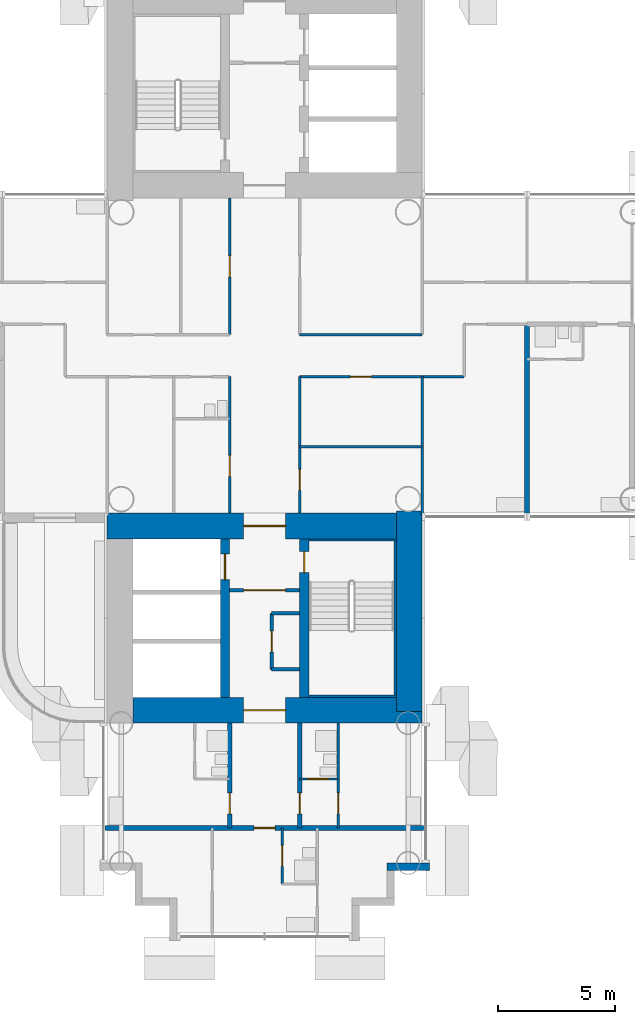
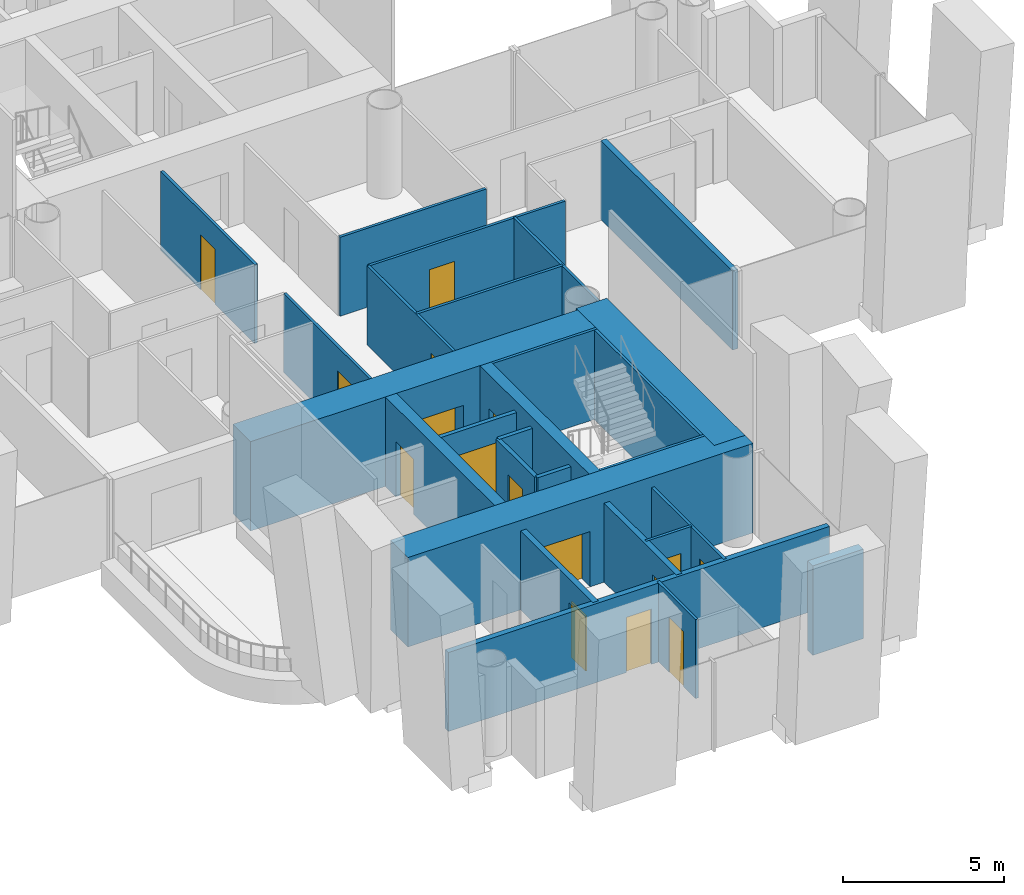
# One storey, part 14 of 23: 27 walls, 16 doors, 16 openings.
"""IFC4 building model written with IfcOpenShell, lengths in metres."""

from ifc_helpers import new_model, si_unit, direction, frame, frame_2d, origin, place, context, subcontext, project, spatial, rectangle, extrude, material, layer, layer_set, type_object, element, fill, save


model = new_model("IFC4")

# Units and contexts
model_context = context("Model", 3, precision=1e-05, world=origin(), true_north=direction((0.0, 1.0)))
body_context = subcontext(model_context, "Body", "Model", "MODEL_VIEW")
ifc_project = project(units=[si_unit("LENGTHUNIT", "METRE"), si_unit("AREAUNIT", "SQUARE_METRE"), si_unit("VOLUMEUNIT", "CUBIC_METRE"), si_unit("PLANEANGLEUNIT", "RADIAN"), si_unit("MASSUNIT", "GRAM", prefix="KILO")], contexts=[model_context])

# Site, building, storey
site_placement = place(None, origin())
site = spatial("IfcSite", under=ifc_project, at=site_placement, CompositionType="ELEMENT")
building_placement = place(site_placement, origin())
building = spatial("IfcBuilding", under=site, at=building_placement, Name="Ipe Terrace Towers", CompositionType="ELEMENT")
storey_placement = place(building_placement, frame((0.0, 0.0, 51.699951171875)))
storey = spatial("IfcBuildingStorey", under=building, at=storey_placement, Name="L13", CompositionType="ELEMENT", Elevation=51.699951171875)

# Wall
ifc_material_1 = material(Name="Concrete C40/50 with buff precast cladding", Category="concrete")
ifc_layer_1 = layer(ifc_material_1, 0.320068359375)
ifc_layer_set_1 = layer_set([ifc_layer_1], Name="BUFF CLADDING WALL 320")
wall_type_1 = type_object("IfcWallType", Name="BUFF CLADDING WALL 320", PredefinedType="STANDARD", material=ifc_layer_set_1)
wall_1_placement = place(storey_placement, frame((41.25, -21.909912109375, -0.300048828125), z_axis=(0.0, 0.0, 1.0), x_axis=(1.0, 0.0, 0.0)))
element("IfcWall", 1, at=wall_1_placement, inside=storey, type_object=wall_type_1, Name="T2-W-L13-03a wall", PredefinedType="STANDARD", context=body_context, shape_type="SweptSolid", body=[
    extrude(rectangle(XDim=1.820068359375, YDim=0.320068359375, at=frame_2d((0.91015625, 0.0))), origin(), (0.0, 0.0, 1.0), 3.400146484375),
])

# Wall, opening, door
ifc_material_2 = material(Name="Gypsum board partition", Category="plasterboard")
ifc_layer_2 = layer(ifc_material_2, 0.10009765625)
ifc_layer_set_2 = layer_set([ifc_layer_2], Name="Gypsum board partition 100 mm")
wall_type_2 = type_object("IfcWallType", Name="Gypsum board partition 100 mm", PredefinedType="PARTITIONING", material=ifc_layer_set_2)
wall_2_placement = place(storey_placement, frame((39.14990234375, -18.14990234375, 0.0), z_axis=(0.0, 0.0, 1.0), x_axis=(-1.0, 0.0, 0.0)))
wall_2 = element("IfcWall", 2, at=wall_2_placement, inside=storey, type_object=wall_type_2, Name="Gypsum board partition T2 L13 W03", PredefinedType="PARTITIONING", context=body_context, shape_type="SweptSolid", body=[
    extrude(rectangle(XDim=1.64990234375, YDim=0.10009765625, at=frame_2d((0.824951171875, 0.0))), origin(), (0.0, 0.0, 1.0), 3.0),
])
opening_1_placement = place(wall_2_placement, frame((0.39990234375, 0.0, 0.0)))
opening_1 = element("IfcOpeningElement", 3, at=opening_1_placement, cuts=wall_2, Name="Opening T2-Z1C-29", PredefinedType="OPENING", context=body_context, shape_type="SweptSolid", body=[
    extrude(rectangle(XDim=0.89990234375, YDim=2.10009765625, at=frame_2d((0.449951171875, 1.050048828125))), frame((0.0, 0.06005859375, 0.0), z_axis=(0.0, -1.0, 0.0), x_axis=(1.0, 0.0, 0.0)), (0.0, 0.0, 1.0), 0.1201171875),
])
ifc_material_3 = material(Name="Timber door leaf", Category="wood")
door_type_1 = type_object("IfcDoorType", Name="Bathroom door 900 x 2100", OperationType="NOTDEFINED", PredefinedType="DOOR", material=ifc_material_3)
door_1_placement = place(opening_1_placement, origin())
door_1 = element("IfcDoor", 4, at=door_1_placement, inside=storey, type_object=door_type_1, Name="Bathroom door T2-Z1C-29", OperationType="SINGLE_SWING_RIGHT", OverallHeight=2.10009765625, OverallWidth=0.89990234375, PredefinedType="DOOR", context=body_context, shape_type="SweptSolid", body=[
    extrude(rectangle(XDim=0.89990234375, YDim=2.10009765625, at=frame_2d((0.449951171875, 1.050048828125))), frame((0.0, 0.02490234375, 0.0), z_axis=(0.0, -1.0, 0.0), x_axis=(1.0, 0.0, 0.0)), (0.0, 0.0, 1.0), 0.050048828125),
])
fill(opening_1, door_1)

# Wall
wall_3_placement = place(storey_placement, frame((42.75, -3.89990234375, 0.0), z_axis=(0.0, 0.0, 1.0), x_axis=(-1.0, 0.0, 0.0)))
element("IfcWall", 5, at=wall_3_placement, inside=storey, type_object=wall_type_2, Name="Gypsum board partition T2 L13 W05", PredefinedType="PARTITIONING", context=body_context, shape_type="SweptSolid", body=[
    extrude(rectangle(XDim=5.25, YDim=0.10009765625, at=frame_2d((2.625, 0.0))), origin(), (0.0, 0.0, 1.0), 3.0),
])

# Wall, opening, door
wall_4_placement = place(storey_placement, frame((44.550048828125, -0.89990234375, 0.0), z_axis=(0.0, 0.0, 1.0), x_axis=(-1.0, 0.0, 0.0)))
wall_4 = element("IfcWall", 6, at=wall_4_placement, inside=storey, type_object=wall_type_2, Name="Gypsum board partition T2 L13 W07", PredefinedType="PARTITIONING", context=body_context, shape_type="SweptSolid", body=[
    extrude(rectangle(XDim=7.050048828125, YDim=0.10009765625, at=frame_2d((3.52490234375, 0.0))), origin(), (0.0, 0.0, 1.0), 3.0),
])
opening_2_placement = place(wall_4_placement, frame((3.97509765625, 0.0, 0.0)))
opening_2 = element("IfcOpeningElement", 7, at=opening_2_placement, cuts=wall_4, Name="Opening T2-Z1C-06", PredefinedType="OPENING", context=body_context, shape_type="SweptSolid", body=[
    extrude(rectangle(XDim=0.89990234375, YDim=2.10009765625, at=frame_2d((0.449951171875, 1.050048828125))), frame((0.0, 0.06005859375, 0.0), z_axis=(0.0, -1.0, 0.0), x_axis=(1.0, 0.0, 0.0)), (0.0, 0.0, 1.0), 0.1201171875),
])
ifc_material_4 = material(Name="Timber door leaf", Category="wood")
door_type_2 = type_object("IfcDoorType", Name="Lounge door 900 x 2100", OperationType="NOTDEFINED", PredefinedType="DOOR", material=ifc_material_4)
door_2_placement = place(opening_2_placement, origin())
door_2 = element("IfcDoor", 8, at=door_2_placement, inside=storey, type_object=door_type_2, Name="Lounge door T2-Z1C-06", OperationType="SINGLE_SWING_LEFT", OverallHeight=2.10009765625, OverallWidth=0.89990234375, PredefinedType="DOOR", context=body_context, shape_type="SweptSolid", body=[
    extrude(rectangle(XDim=0.89990234375, YDim=2.10009765625, at=frame_2d((0.449951171875, 1.050048828125))), frame((0.0, 0.02490234375, 0.0), z_axis=(0.0, -1.0, 0.0), x_axis=(1.0, 0.0, 0.0)), (0.0, 0.0, 1.0), 0.050048828125),
])
fill(opening_2, door_2)

# Walls
wall_5_placement = place(storey_placement, frame((42.75, 0.89990234375, 0.0), z_axis=(0.0, 0.0, 1.0), x_axis=(-1.0, 0.0, 0.0)))
element("IfcWall", 9, at=wall_5_placement, inside=storey, type_object=wall_type_2, Name="Gypsum board partition T2 L13 W11", PredefinedType="PARTITIONING", context=body_context, shape_type="SweptSolid", body=[
    extrude(rectangle(XDim=5.25, YDim=0.10009765625, at=frame_2d((2.625, 0.0))), origin(), (0.0, 0.0, 1.0), 3.0),
])
wall_6_placement = place(storey_placement, frame((42.75, -6.85009765625, 0.0), z_axis=(0.0, 0.0, 1.0), x_axis=(0.0, 1.0, 0.0)))
element("IfcWall", 10, at=wall_6_placement, inside=storey, type_object=wall_type_2, Name="Gypsum board partition T2 L13 W30", PredefinedType="PARTITIONING", context=body_context, shape_type="SweptSolid", body=[
    extrude(rectangle(XDim=5.9501953125, YDim=0.10009765625, at=frame_2d((2.97509765625, 0.0))), origin(), (0.0, 0.0, 1.0), 3.0),
])

# Wall, opening, door
wall_7_placement = place(storey_placement, frame((39.14990234375, -20.25, 0.0), z_axis=(0.0, 0.0, 1.0), x_axis=(0.0, 1.0, 0.0)))
wall_7 = element("IfcWall", 11, at=wall_7_placement, inside=storey, type_object=wall_type_2, Name="Gypsum board partition T2 L13 W32", PredefinedType="PARTITIONING", context=body_context, shape_type="SweptSolid", body=[
    extrude(rectangle(XDim=4.5, YDim=0.10009765625, at=frame_2d((2.25, 0.0))), origin(), (0.0, 0.0, 1.0), 3.0),
])
opening_3_placement = place(wall_7_placement, frame((0.60009765625, 0.0, 0.0)))
opening_3 = element("IfcOpeningElement", 12, at=opening_3_placement, cuts=wall_7, Name="Opening T2-Z1C-28", PredefinedType="OPENING", context=body_context, shape_type="SweptSolid", body=[
    extrude(rectangle(XDim=0.89990234375, YDim=2.10009765625, at=frame_2d((0.449951171875, 1.050048828125))), frame((0.0, 0.06005859375, 0.0), z_axis=(0.0, -1.0, 0.0), x_axis=(1.0, 0.0, 0.0)), (0.0, 0.0, 1.0), 0.1201171875),
])
ifc_material_5 = material(Name="Timber door leaf", Category="wood")
door_type_3 = type_object("IfcDoorType", Name="Bedroom door 900 x 2100", OperationType="NOTDEFINED", PredefinedType="DOOR", material=ifc_material_5)
door_3_placement = place(opening_3_placement, origin())
door_3 = element("IfcDoor", 13, at=door_3_placement, inside=storey, type_object=door_type_3, Name="Bedroom door T2-Z1C-28", OperationType="SINGLE_SWING_LEFT", OverallHeight=2.10009765625, OverallWidth=0.89990234375, PredefinedType="DOOR", context=body_context, shape_type="SweptSolid", body=[
    extrude(rectangle(XDim=0.89990234375, YDim=2.10009765625, at=frame_2d((0.449951171875, 1.050048828125))), frame((0.0, 0.02490234375, 0.0), z_axis=(0.0, -1.0, 0.0), x_axis=(1.0, 0.0, 0.0)), (0.0, 0.0, 1.0), 0.050048828125),
])
fill(opening_3, door_3)

wall_8_placement = place(storey_placement, frame((37.5, -6.75, 0.0), z_axis=(0.0, 0.0, 1.0), x_axis=(0.0, 1.0, 0.0)))
wall_8 = element("IfcWall", 14, at=wall_8_placement, inside=storey, type_object=wall_type_2, Name="Gypsum board partition T2 L13 W35", PredefinedType="PARTITIONING", context=body_context, shape_type="SweptSolid", body=[
    extrude(rectangle(XDim=5.85009765625, YDim=0.10009765625, at=frame_2d((2.925048828125, 0.0))), origin(), (0.0, 0.0, 1.0), 3.0),
])
opening_4_placement = place(wall_8_placement, frame((0.97509765625, 0.0, 0.0)))
opening_4 = element("IfcOpeningElement", 15, at=opening_4_placement, cuts=wall_8, Name="Opening T2-Z1C-07", PredefinedType="OPENING", context=body_context, shape_type="SweptSolid", body=[
    extrude(rectangle(XDim=0.89990234375, YDim=2.10009765625, at=frame_2d((0.449951171875, 1.050048828125))), frame((0.0, 0.06005859375, 0.0), z_axis=(0.0, -1.0, 0.0), x_axis=(1.0, 0.0, 0.0)), (0.0, 0.0, 1.0), 0.1201171875),
])
door_4_placement = place(opening_4_placement, origin())
door_4 = element("IfcDoor", 16, at=door_4_placement, inside=storey, type_object=door_type_2, Name="Lounge door T2-Z1C-07", OperationType="SINGLE_SWING_LEFT", OverallHeight=2.10009765625, OverallWidth=0.89990234375, PredefinedType="DOOR", context=body_context, shape_type="SweptSolid", body=[
    extrude(rectangle(XDim=0.89990234375, YDim=2.10009765625, at=frame_2d((0.449951171875, 1.050048828125))), frame((0.0, 0.02490234375, 0.0), z_axis=(0.0, -1.0, 0.0), x_axis=(1.0, 0.0, 0.0)), (0.0, 0.0, 1.0), 0.050048828125),
])
fill(opening_4, door_4)

wall_9_placement = place(storey_placement, frame((36.75, -22.64990234375, 0.0), z_axis=(0.0, 0.0, 1.0), x_axis=(0.0, 1.0, 0.0)))
wall_9 = element("IfcWall", 17, at=wall_9_placement, inside=storey, type_object=wall_type_2, Name="Gypsum board partition T2 L13 W39", PredefinedType="PARTITIONING", context=body_context, shape_type="SweptSolid", body=[
    extrude(rectangle(XDim=2.39990234375, YDim=0.10009765625, at=frame_2d((1.199951171875, 0.0))), origin(), (0.0, 0.0, 1.0), 3.0),
])
opening_5_placement = place(wall_9_placement, frame((0.75, 0.0, 0.0)))
opening_5 = element("IfcOpeningElement", 18, at=opening_5_placement, cuts=wall_9, Name="Opening T2-Z1C-32", PredefinedType="OPENING", context=body_context, shape_type="SweptSolid", body=[
    extrude(rectangle(XDim=0.89990234375, YDim=2.10009765625, at=frame_2d((0.449951171875, 1.050048828125))), frame((0.0, 0.06005859375, 0.0), z_axis=(0.0, -1.0, 0.0), x_axis=(1.0, 0.0, 0.0)), (0.0, 0.0, 1.0), 0.1201171875),
])
door_5_placement = place(opening_5_placement, origin())
door_5 = element("IfcDoor", 19, at=door_5_placement, inside=storey, type_object=door_type_1, Name="Bathroom door T2-Z1C-32", OperationType="SINGLE_SWING_RIGHT", OverallHeight=2.10009765625, OverallWidth=0.89990234375, PredefinedType="DOOR", context=body_context, shape_type="SweptSolid", body=[
    extrude(rectangle(XDim=0.89990234375, YDim=2.10009765625, at=frame_2d((0.449951171875, 1.050048828125))), frame((0.0, 0.02490234375, 0.0), z_axis=(0.0, -1.0, 0.0), x_axis=(1.0, 0.0, 0.0)), (0.0, 0.0, 1.0), 0.050048828125),
])
fill(opening_5, door_5)

wall_10_placement = place(storey_placement, frame((34.5, -6.75, 0.0), z_axis=(0.0, 0.0, 1.0), x_axis=(0.0, 1.0, 0.0)))
wall_10 = element("IfcWall", 20, at=wall_10_placement, inside=storey, type_object=wall_type_2, Name="Gypsum board partition T2 L13 W40", PredefinedType="PARTITIONING", context=body_context, shape_type="SweptSolid", body=[
    extrude(rectangle(XDim=5.85009765625, YDim=0.10009765625, at=frame_2d((2.925048828125, 0.0))), origin(), (0.0, 0.0, 1.0), 3.0),
])
opening_6_placement = place(wall_10_placement, frame((1.574951171875, 0.0, 0.0)))
opening_6 = element("IfcOpeningElement", 21, at=opening_6_placement, cuts=wall_10, Name="Opening T2-Z1C-04", PredefinedType="OPENING", context=body_context, shape_type="SweptSolid", body=[
    extrude(rectangle(XDim=0.89990234375, YDim=2.10009765625, at=frame_2d((0.449951171875, 1.050048828125))), frame((0.0, 0.06005859375, 0.0), z_axis=(0.0, -1.0, 0.0), x_axis=(1.0, 0.0, 0.0)), (0.0, 0.0, 1.0), 0.1201171875),
])
door_6_placement = place(opening_6_placement, origin())
door_6 = element("IfcDoor", 22, at=door_6_placement, inside=storey, type_object=door_type_2, Name="Lounge door T2-Z1C-04", OperationType="SINGLE_SWING_RIGHT", OverallHeight=2.10009765625, OverallWidth=0.89990234375, PredefinedType="DOOR", context=body_context, shape_type="SweptSolid", body=[
    extrude(rectangle(XDim=0.89990234375, YDim=2.10009765625, at=frame_2d((0.449951171875, 1.050048828125))), frame((0.0, 0.02490234375, 0.0), z_axis=(0.0, -1.0, 0.0), x_axis=(1.0, 0.0, 0.0)), (0.0, 0.0, 1.0), 0.050048828125),
])
fill(opening_6, door_6)

wall_11_placement = place(storey_placement, frame((34.5, 0.89990234375, 0.0), z_axis=(0.0, 0.0, 1.0), x_axis=(0.0, 1.0, 0.0)))
wall_11 = element("IfcWall", 23, at=wall_11_placement, inside=storey, type_object=wall_type_2, Name="Gypsum board partition T2 L13 W41", PredefinedType="PARTITIONING", context=body_context, shape_type="SweptSolid", body=[
    extrude(rectangle(XDim=5.85009765625, YDim=0.10009765625, at=frame_2d((2.925048828125, 0.0))), origin(), (0.0, 0.0, 1.0), 3.0),
])
opening_7_placement = place(wall_11_placement, frame((2.47509765625, 0.0, 0.0)))
opening_7 = element("IfcOpeningElement", 24, at=opening_7_placement, cuts=wall_11, Name="Opening T2-Z1C-02", PredefinedType="OPENING", context=body_context, shape_type="SweptSolid", body=[
    extrude(rectangle(XDim=0.89990234375, YDim=2.10009765625, at=frame_2d((0.449951171875, 1.050048828125))), frame((0.0, 0.06005859375, 0.0), z_axis=(0.0, -1.0, 0.0), x_axis=(1.0, 0.0, 0.0)), (0.0, 0.0, 1.0), 0.1201171875),
])
door_7_placement = place(opening_7_placement, origin())
door_7 = element("IfcDoor", 25, at=door_7_placement, inside=storey, type_object=door_type_2, Name="Lounge door T2-Z1C-02", OperationType="SINGLE_SWING_LEFT", OverallHeight=2.10009765625, OverallWidth=0.89990234375, PredefinedType="DOOR", context=body_context, shape_type="SweptSolid", body=[
    extrude(rectangle(XDim=0.89990234375, YDim=2.10009765625, at=frame_2d((0.449951171875, 1.050048828125))), frame((0.0, 0.02490234375, 0.0), z_axis=(0.0, -1.0, 0.0), x_axis=(1.0, 0.0, 0.0)), (0.0, 0.0, 1.0), 0.050048828125),
])
fill(opening_7, door_7)

ifc_material_6 = material(Name="Gypsum board partition", Category="plasterboard")
ifc_layer_3 = layer(ifc_material_6, 0.14990234375)
ifc_layer_set_3 = layer_set([ifc_layer_3], Name="Gypsum board partition 150 mm")
wall_type_3 = type_object("IfcWallType", Name="Gypsum board partition 150 mm", PredefinedType="PARTITIONING", material=ifc_layer_set_3)
wall_12_placement = place(storey_placement, frame((34.5, -10.050048828125, 0.0), z_axis=(0.0, 0.0, 1.0), x_axis=(1.0, 0.0, 0.0)))
wall_12 = element("IfcWall", 26, at=wall_12_placement, inside=storey, type_object=wall_type_3, Name="Gypsum board partition T2 L13 t2c2-lobby-wall", PredefinedType="PARTITIONING", context=body_context, shape_type="SweptSolid", body=[
    extrude(rectangle(XDim=3.0, YDim=0.14990234375, at=frame_2d((1.5, 0.0))), origin(), (0.0, 0.0, 1.0), 3.0),
])
opening_8_placement = place(wall_12_placement, frame((0.60009765625, 0.0, 0.0)))
opening_8 = element("IfcOpeningElement", 27, at=opening_8_placement, cuts=wall_12, Name="Opening T2C2-VD", PredefinedType="OPENING", context=body_context, shape_type="SweptSolid", body=[
    extrude(rectangle(XDim=1.800048828125, YDim=2.10009765625, at=frame_2d((0.89990234375, 1.050048828125))), frame((0.0, 0.0849609375, 0.0), z_axis=(0.0, -1.0, 0.0), x_axis=(1.0, 0.0, 0.0)), (0.0, 0.0, 1.0), 0.169921875),
])
ifc_material_7 = material(Name="Fire-rated timber door leaf", Category="wood")
door_type_4 = type_object("IfcDoorType", Name="Lobby door 1800 x 2100 FD60", OperationType="NOTDEFINED", PredefinedType="DOOR", material=ifc_material_7)
door_8_placement = place(opening_8_placement, origin())
door_8 = element("IfcDoor", 28, at=door_8_placement, inside=storey, type_object=door_type_4, Name="Lobby door T2C2-VD", OperationType="SINGLE_SWING_LEFT", OverallHeight=2.10009765625, OverallWidth=1.800048828125, PredefinedType="DOOR", context=body_context, shape_type="SweptSolid", body=[
    extrude(rectangle(XDim=1.800048828125, YDim=2.10009765625, at=frame_2d((0.89990234375, 1.050048828125))), frame((0.0, 0.02490234375, 0.0), z_axis=(0.0, -1.0, 0.0), x_axis=(1.0, 0.0, 0.0)), (0.0, 0.0, 1.0), 0.050048828125),
])
fill(opening_8, door_8)

wall_13_placement = place(storey_placement, frame((36.300048828125, -11.050048828125, 0.0), z_axis=(0.0, 0.0, 1.0), x_axis=(0.0, -1.0, 0.0)))
wall_13 = element("IfcWall", 29, at=wall_13_placement, inside=storey, type_object=wall_type_3, Name="Gypsum board partition T2 L13 t2c2-cup-n-f", PredefinedType="PARTITIONING", context=body_context, shape_type="SweptSolid", body=[
    extrude(rectangle(XDim=2.39990234375, YDim=0.14990234375, at=frame_2d((1.199951171875, 0.0))), origin(), (0.0, 0.0, 1.0), 3.0),
])
opening_9_placement = place(wall_13_placement, frame((0.75, 0.0, 0.0)))
opening_9 = element("IfcOpeningElement", 30, at=opening_9_placement, cuts=wall_13, Name="Opening T2C2-SR", PredefinedType="OPENING", context=body_context, shape_type="SweptSolid", body=[
    extrude(rectangle(XDim=0.89990234375, YDim=2.10009765625, at=frame_2d((0.449951171875, 1.050048828125))), frame((0.0, 0.0849609375, 0.0), z_axis=(0.0, -1.0, 0.0), x_axis=(1.0, 0.0, 0.0)), (0.0, 0.0, 1.0), 0.169921875),
])
ifc_material_8 = material(Name="Fire-rated timber door leaf", Category="wood")
door_type_5 = type_object("IfcDoorType", Name="Service door 900 x 2100 FD60", OperationType="NOTDEFINED", PredefinedType="DOOR", material=ifc_material_8)
door_9_placement = place(opening_9_placement, origin())
door_9 = element("IfcDoor", 31, at=door_9_placement, inside=storey, type_object=door_type_5, Name="Service door T2C2-SR", OperationType="SINGLE_SWING_LEFT", OverallHeight=2.10009765625, OverallWidth=0.89990234375, PredefinedType="DOOR", context=body_context, shape_type="SweptSolid", body=[
    extrude(rectangle(XDim=0.89990234375, YDim=2.10009765625, at=frame_2d((0.449951171875, 1.050048828125))), frame((0.0, 0.02490234375, 0.0), z_axis=(0.0, -1.0, 0.0), x_axis=(1.0, 0.0, 0.0)), (0.0, 0.0, 1.0), 0.050048828125),
])
fill(opening_9, door_9)

# Walls
for number, where, z_axis, x_axis, name in (
    (32, (36.300048828125, -11.050048828125, 0.0), (0.0, 0.0, 1.0), (1.0, 0.0, 0.0), "Gypsum board partition T2 L13 t2c2-cup-n-a"),
    (33, (36.300048828125, -13.449951171875, 0.0), (0.0, 0.0, 1.0), (1.0, 0.0, 0.0), "Gypsum board partition T2 L13 t2c2-cup-n-b"),
):
    element("IfcWall", number, at=place(storey_placement, frame(where, z_axis=z_axis, x_axis=x_axis)), inside=storey, type_object=wall_type_3, Name=name, PredefinedType="PARTITIONING", context=body_context, shape_type="SweptSolid", body=[
        extrude(rectangle(XDim=1.199951171875, YDim=0.14990234375, at=frame_2d((0.60009765625, 0.0))), origin(), (0.0, 0.0, 1.0), 3.0),
    ])

# Wall, opening, door
ifc_material_9 = material(Name="Gypsum board party wall", Category="plasterboard")
ifc_layer_4 = layer(ifc_material_9, 0.199951171875)
ifc_layer_set_4 = layer_set([ifc_layer_4], Name="Gypsum board party wall 200 mm")
wall_type_4 = type_object("IfcWallType", Name="Gypsum board party wall 200 mm", PredefinedType="SOLIDWALL", material=ifc_layer_set_4)
wall_14_placement = place(storey_placement, frame((42.85009765625, -20.25, 0.0), z_axis=(0.0, 0.0, 1.0), x_axis=(-1.0, 0.0, 0.0)))
wall_14 = element("IfcWall", 34, at=wall_14_placement, inside=storey, type_object=wall_type_4, Name="Gypsum board party wall T2 L13 W02", PredefinedType="SOLIDWALL", context=body_context, shape_type="SweptSolid", body=[
    extrude(rectangle(XDim=13.7001953125, YDim=0.199951171875, at=frame_2d((6.85009765625, 0.0))), origin(), (0.0, 0.0, 1.0), 3.0),
])
opening_10_placement = place(wall_14_placement, frame((6.39990234375, 0.0, 0.0)))
opening_10 = element("IfcOpeningElement", 35, at=opening_10_placement, cuts=wall_14, Name="Opening T2-Z1C-33", PredefinedType="OPENING", context=body_context, shape_type="SweptSolid", body=[
    extrude(rectangle(XDim=0.89990234375, YDim=2.10009765625, at=frame_2d((0.449951171875, 1.050048828125))), frame((0.0, 0.10986328125, 0.0), z_axis=(0.0, -1.0, 0.0), x_axis=(1.0, 0.0, 0.0)), (0.0, 0.0, 1.0), 0.219970703125),
])
ifc_material_10 = material(Name="Fire-rated timber door leaf", Category="wood")
door_type_6 = type_object("IfcDoorType", Name="Flat entrance door 900 x 2100 FD30S", OperationType="NOTDEFINED", PredefinedType="DOOR", material=ifc_material_10)
door_10_placement = place(opening_10_placement, origin())
door_10 = element("IfcDoor", 36, at=door_10_placement, inside=storey, type_object=door_type_6, Name="Flat entrance door T2-Z1C-33", OperationType="SINGLE_SWING_LEFT", OverallHeight=2.10009765625, OverallWidth=0.89990234375, PredefinedType="DOOR", context=body_context, shape_type="SweptSolid", body=[
    extrude(rectangle(XDim=0.89990234375, YDim=2.10009765625, at=frame_2d((0.449951171875, 1.050048828125))), frame((0.0, 0.02490234375, 0.0), z_axis=(0.0, -1.0, 0.0), x_axis=(1.0, 0.0, 0.0)), (0.0, 0.0, 1.0), 0.050048828125),
])
fill(opening_10, door_10)

# Wall
wall_15_placement = place(storey_placement, frame((47.25, -6.85009765625, 0.0), z_axis=(0.0, 0.0, 1.0), x_axis=(0.0, 1.0, 0.0)))
element("IfcWall", 37, at=wall_15_placement, inside=storey, type_object=wall_type_4, Name="Gypsum board party wall T2 L13 W28", PredefinedType="SOLIDWALL", context=body_context, shape_type="SweptSolid", body=[
    extrude(rectangle(XDim=8.2001953125, YDim=0.199951171875, at=frame_2d((4.10009765625, 0.0))), origin(), (0.0, 0.0, 1.0), 3.0),
])

# Wall, opening, door
wall_16_placement = place(storey_placement, frame((37.5, -20.25, 0.0), z_axis=(0.0, 0.0, 1.0), x_axis=(0.0, 1.0, 0.0)))
wall_16 = element("IfcWall", 38, at=wall_16_placement, inside=storey, type_object=wall_type_4, Name="Gypsum board party wall T2 L13 W37", PredefinedType="SOLIDWALL", context=body_context, shape_type="SweptSolid", body=[
    extrude(rectangle(XDim=4.5, YDim=0.199951171875, at=frame_2d((2.25, 0.0))), origin(), (0.0, 0.0, 1.0), 3.0),
])
opening_11_placement = place(wall_16_placement, frame((0.60009765625, 0.0, 0.0)))
opening_11 = element("IfcOpeningElement", 39, at=opening_11_placement, cuts=wall_16, Name="Opening T2-Z1C-27", PredefinedType="OPENING", context=body_context, shape_type="SweptSolid", body=[
    extrude(rectangle(XDim=0.89990234375, YDim=2.10009765625, at=frame_2d((0.449951171875, 1.050048828125))), frame((0.0, 0.10986328125, 0.0), z_axis=(0.0, -1.0, 0.0), x_axis=(1.0, 0.0, 0.0)), (0.0, 0.0, 1.0), 0.219970703125),
])
door_11_placement = place(opening_11_placement, origin())
door_11 = element("IfcDoor", 40, at=door_11_placement, inside=storey, type_object=door_type_6, Name="Flat entrance door T2-Z1C-27", OperationType="SINGLE_SWING_LEFT", OverallHeight=2.10009765625, OverallWidth=0.89990234375, PredefinedType="DOOR", context=body_context, shape_type="SweptSolid", body=[
    extrude(rectangle(XDim=0.89990234375, YDim=2.10009765625, at=frame_2d((0.449951171875, 1.050048828125))), frame((0.0, 0.02490234375, 0.0), z_axis=(0.0, -1.0, 0.0), x_axis=(1.0, 0.0, 0.0)), (0.0, 0.0, 1.0), 0.050048828125),
])
fill(opening_11, door_11)

wall_17_placement = place(storey_placement, frame((34.5, -20.25, 0.0), z_axis=(0.0, 0.0, 1.0), x_axis=(0.0, 1.0, 0.0)))
wall_17 = element("IfcWall", 41, at=wall_17_placement, inside=storey, type_object=wall_type_4, Name="Gypsum board party wall T2 L13 W42", PredefinedType="SOLIDWALL", context=body_context, shape_type="SweptSolid", body=[
    extrude(rectangle(XDim=4.5, YDim=0.199951171875, at=frame_2d((2.25, 0.0))), origin(), (0.0, 0.0, 1.0), 3.0),
])
opening_12_placement = place(wall_17_placement, frame((0.60009765625, 0.0, 0.0)))
opening_12 = element("IfcOpeningElement", 42, at=opening_12_placement, cuts=wall_17, Name="Opening T2-Z1C-30", PredefinedType="OPENING", context=body_context, shape_type="SweptSolid", body=[
    extrude(rectangle(XDim=0.89990234375, YDim=2.10009765625, at=frame_2d((0.449951171875, 1.050048828125))), frame((0.0, 0.10986328125, 0.0), z_axis=(0.0, -1.0, 0.0), x_axis=(1.0, 0.0, 0.0)), (0.0, 0.0, 1.0), 0.219970703125),
])
door_12_placement = place(opening_12_placement, origin())
door_12 = element("IfcDoor", 43, at=door_12_placement, inside=storey, type_object=door_type_6, Name="Flat entrance door T2-Z1C-30", OperationType="SINGLE_SWING_RIGHT", OverallHeight=2.10009765625, OverallWidth=0.89990234375, PredefinedType="DOOR", context=body_context, shape_type="SweptSolid", body=[
    extrude(rectangle(XDim=0.89990234375, YDim=2.10009765625, at=frame_2d((0.449951171875, 1.050048828125))), frame((0.0, 0.02490234375, 0.0), z_axis=(0.0, -1.0, 0.0), x_axis=(1.0, 0.0, 0.0)), (0.0, 0.0, 1.0), 0.050048828125),
])
fill(opening_12, door_12)

# Walls
ifc_material_11 = material(Name="Concrete C60/75", Category="concrete")
ifc_layer_5 = layer(ifc_material_11, 0.10009765625)
ifc_layer_set_5 = layer_set([ifc_layer_5], Name="RW100 CORE INFILL WALL 100 C60-75")
wall_type_5 = type_object("IfcWallType", Name="RW100 CORE INFILL WALL 100 C60-75", PredefinedType="SHEAR", material=ifc_layer_set_5)
wall_18_placement = place(storey_placement, frame((37.89990234375, -14.60009765625, 0.0), z_axis=(0.0, 0.0, 1.0), x_axis=(1.0, 0.0, 0.0)))
element("IfcWall", 44, at=wall_18_placement, inside=storey, type_object=wall_type_5, Name="Core infill wall T2-C2-far", PredefinedType="SHEAR", context=body_context, shape_type="SweptSolid", body=[
    extrude(rectangle(XDim=3.75, YDim=0.10009765625, at=frame_2d((1.875, 0.0))), origin(), (0.0, 0.0, 1.0), 3.400146484375),
])
wall_19_placement = place(storey_placement, frame((41.60009765625, -7.949951171875, 0.0), z_axis=(0.0, 0.0, 1.0), x_axis=(0.0, -1.0, 0.0)))
element("IfcWall", 45, at=wall_19_placement, inside=storey, type_object=wall_type_5, Name="Core infill wall T2-C2-back", PredefinedType="SHEAR", context=body_context, shape_type="SweptSolid", body=[
    extrude(rectangle(XDim=6.60009765625, YDim=0.10009765625, at=frame_2d((3.300048828125, 0.0))), origin(), (0.0, 0.0, 1.0), 3.400146484375),
])
wall_20_placement = place(storey_placement, frame((37.89990234375, -7.89990234375, 0.0), z_axis=(0.0, 0.0, 1.0), x_axis=(1.0, 0.0, 0.0)))
element("IfcWall", 46, at=wall_20_placement, inside=storey, type_object=wall_type_5, Name="Core infill wall T2-C2-near", PredefinedType="SHEAR", context=body_context, shape_type="SweptSolid", body=[
    extrude(rectangle(XDim=3.75, YDim=0.10009765625, at=frame_2d((1.875, 0.0))), origin(), (0.0, 0.0, 1.0), 3.400146484375),
])

# Wall, opening, door
ifc_material_12 = material(Name="Concrete C60/75", Category="concrete")
ifc_layer_6 = layer(ifc_material_12, 1.10009765625)
ifc_layer_set_6 = layer_set([ifc_layer_6], Name="RW1100 CORE WALL 1100 C60-75")
wall_type_6 = type_object("IfcWallType", Name="RW1100 CORE WALL 1100 C60-75", PredefinedType="SHEAR", material=ifc_layer_set_6)
wall_21_placement = place(storey_placement, frame((30.35009765625, -15.199951171875, 0.0), z_axis=(0.0, 0.0, 1.0), x_axis=(1.0, 0.0, 0.0)))
wall_21 = element("IfcWall", 47, at=wall_21_placement, inside=storey, type_object=wall_type_6, Name="Core wall T2-C2-Z1-W01", PredefinedType="SHEAR", context=body_context, shape_type="SweptSolid", body=[
    extrude(rectangle(XDim=12.39990234375, YDim=1.10009765625, at=frame_2d((6.199951171875, 0.0))), origin(), (0.0, 0.0, 1.0), 3.400146484375),
])
opening_13_placement = place(wall_21_placement, frame((4.75, 0.0, 0.0)))
opening_13 = element("IfcOpeningElement", 48, at=opening_13_placement, cuts=wall_21, Name="Opening T2C2-FD", PredefinedType="OPENING", context=body_context, shape_type="SweptSolid", body=[
    extrude(rectangle(XDim=1.800048828125, YDim=2.10009765625, at=frame_2d((0.89990234375, 1.050048828125))), frame((0.0, 0.56005859375, 0.0), z_axis=(0.0, -1.0, 0.0), x_axis=(1.0, 0.0, 0.0)), (0.0, 0.0, 1.0), 1.1201171875),
])
ifc_material_13 = material(Name="Fire-rated timber door leaf", Category="wood")
door_type_7 = type_object("IfcDoorType", Name="Fire door 1800 x 2100 FD30S", OperationType="NOTDEFINED", PredefinedType="DOOR", material=ifc_material_13)
door_13_placement = place(opening_13_placement, origin())
door_13 = element("IfcDoor", 49, at=door_13_placement, inside=storey, type_object=door_type_7, Name="Fire door T2C2-FD", OperationType="SINGLE_SWING_LEFT", OverallHeight=2.10009765625, OverallWidth=1.800048828125, PredefinedType="DOOR", context=body_context, shape_type="SweptSolid", body=[
    extrude(rectangle(XDim=1.800048828125, YDim=2.10009765625, at=frame_2d((0.89990234375, 1.050048828125))), frame((0.0, 0.02490234375, 0.0), z_axis=(0.0, -1.0, 0.0), x_axis=(1.0, 0.0, 0.0)), (0.0, 0.0, 1.0), 0.050048828125),
])
fill(opening_13, door_13)

# Wall
wall_22_placement = place(storey_placement, frame((42.199951171875, -15.248046875, 0.0), z_axis=(0.0, 0.0, 1.0), x_axis=(0.0, 1.0, 0.0)))
element("IfcWall", 50, at=wall_22_placement, inside=storey, type_object=wall_type_6, Name="Core wall T2-C2-Z1-W02", PredefinedType="SHEAR", context=body_context, shape_type="SweptSolid", body=[
    extrude(rectangle(XDim=8.595947265625, YDim=1.10009765625, at=frame_2d((4.2978515625, 0.0))), origin(), (0.0, 0.0, 1.0), 3.400146484375),
])

# Wall, opening, door
wall_23_placement = place(storey_placement, frame((41.64990234375, -7.300048828125, 0.0), z_axis=(0.0, 0.0, 1.0), x_axis=(-1.0, 0.0, 0.0)))
wall_23 = element("IfcWall", 51, at=wall_23_placement, inside=storey, type_object=wall_type_6, Name="Core wall T2-C2-Z1-W03", PredefinedType="SHEAR", context=body_context, shape_type="SweptSolid", body=[
    extrude(rectangle(XDim=12.39990234375, YDim=1.10009765625, at=frame_2d((6.199951171875, 0.0))), origin(), (0.0, 0.0, 1.0), 3.400146484375),
])
opening_14_placement = place(wall_23_placement, frame((4.75, 0.0, 0.0)))
opening_14 = element("IfcOpeningElement", 52, at=opening_14_placement, cuts=wall_23, Name="Opening T2C2-ND", PredefinedType="OPENING", context=body_context, shape_type="SweptSolid", body=[
    extrude(rectangle(XDim=1.800048828125, YDim=2.10009765625, at=frame_2d((0.89990234375, 1.050048828125))), frame((0.0, 0.56005859375, 0.0), z_axis=(0.0, -1.0, 0.0), x_axis=(1.0, 0.0, 0.0)), (0.0, 0.0, 1.0), 1.1201171875),
])
door_14_placement = place(opening_14_placement, origin())
door_14 = element("IfcDoor", 53, at=door_14_placement, inside=storey, type_object=door_type_7, Name="Fire door T2C2-ND", OperationType="SINGLE_SWING_LEFT", OverallHeight=2.10009765625, OverallWidth=1.800048828125, PredefinedType="DOOR", context=body_context, shape_type="SweptSolid", body=[
    extrude(rectangle(XDim=1.800048828125, YDim=2.10009765625, at=frame_2d((0.89990234375, 1.050048828125))), frame((0.0, 0.02490234375, 0.0), z_axis=(0.0, -1.0, 0.0), x_axis=(1.0, 0.0, 0.0)), (0.0, 0.0, 1.0), 0.050048828125),
])
fill(opening_14, door_14)

ifc_material_14 = material(Name="Concrete C60/75", Category="concrete")
ifc_layer_7 = layer(ifc_material_14, 0.39990234375)
ifc_layer_set_7 = layer_set([ifc_layer_7], Name="RW400 CORE SPINE WALL 400 C60-75")
wall_type_7 = type_object("IfcWallType", Name="RW400 CORE SPINE WALL 400 C60-75", PredefinedType="SHEAR", material=ifc_layer_set_7)
wall_24_placement = place(storey_placement, frame((34.300048828125, -14.64990234375, 0.0), z_axis=(0.0, 0.0, 1.0), x_axis=(0.0, 1.0, 0.0)))
wall_24 = element("IfcWall", 54, at=wall_24_placement, inside=storey, type_object=wall_type_7, Name="Core spine wall T2-C2-Z1-SW1", PredefinedType="SHEAR", context=body_context, shape_type="SweptSolid", body=[
    extrude(rectangle(XDim=6.7998046875, YDim=0.39990234375, at=frame_2d((3.39990234375, 0.0))), origin(), (0.0, 0.0, 1.0), 3.400146484375),
])
opening_15_placement = place(wall_24_placement, frame((5.050048828125, 0.0, 0.0)))
opening_15 = element("IfcOpeningElement", 55, at=opening_15_placement, cuts=wall_24, Name="Opening T2C2-LD1", PredefinedType="OPENING", context=body_context, shape_type="SweptSolid", body=[
    extrude(rectangle(XDim=1.10009765625, YDim=2.10009765625, at=frame_2d((0.550048828125, 1.050048828125))), frame((0.0, 0.2099609375, 0.0), z_axis=(0.0, -1.0, 0.0), x_axis=(1.0, 0.0, 0.0)), (0.0, 0.0, 1.0), 0.419921875),
])
ifc_material_15 = material(Name="Fire-rated timber door leaf", Category="wood")
door_type_8 = type_object("IfcDoorType", Name="Sliding door 1100 x 2100 FD60", OperationType="SLIDING_TO_LEFT", PredefinedType="DOOR", material=ifc_material_15)
door_15_placement = place(opening_15_placement, origin())
door_15 = element("IfcDoor", 56, at=door_15_placement, inside=storey, type_object=door_type_8, Name="Sliding door T2C2-LD1", OperationType="SLIDING_TO_LEFT", OverallHeight=2.10009765625, OverallWidth=1.10009765625, PredefinedType="DOOR", context=body_context, shape_type="SweptSolid", body=[
    extrude(rectangle(XDim=1.10009765625, YDim=2.10009765625, at=frame_2d((0.550048828125, 1.050048828125))), frame((0.0, 0.02490234375, 0.0), z_axis=(0.0, -1.0, 0.0), x_axis=(1.0, 0.0, 0.0)), (0.0, 0.0, 1.0), 0.050048828125),
])
fill(opening_15, door_15)

wall_25_placement = place(storey_placement, frame((37.699951171875, -14.64990234375, 0.0), z_axis=(0.0, 0.0, 1.0), x_axis=(0.0, 1.0, 0.0)))
wall_25 = element("IfcWall", 57, at=wall_25_placement, inside=storey, type_object=wall_type_7, Name="Core spine wall T2-C2-Z1-SW2", PredefinedType="SHEAR", context=body_context, shape_type="SweptSolid", body=[
    extrude(rectangle(XDim=6.7998046875, YDim=0.39990234375, at=frame_2d((3.39990234375, 0.0))), origin(), (0.0, 0.0, 1.0), 3.400146484375),
])
opening_16_placement = place(wall_25_placement, frame((5.35009765625, 0.0, 0.0)))
opening_16 = element("IfcOpeningElement", 58, at=opening_16_placement, cuts=wall_25, Name="Opening T2C2-SD", PredefinedType="OPENING", context=body_context, shape_type="SweptSolid", body=[
    extrude(rectangle(XDim=0.89990234375, YDim=2.10009765625, at=frame_2d((0.449951171875, 1.050048828125))), frame((0.0, 0.2099609375, 0.0), z_axis=(0.0, -1.0, 0.0), x_axis=(1.0, 0.0, 0.0)), (0.0, 0.0, 1.0), 0.419921875),
])
ifc_material_16 = material(Name="Fire-rated timber door leaf", Category="wood")
door_type_9 = type_object("IfcDoorType", Name="Stair door 900 x 2100 FD60", OperationType="NOTDEFINED", PredefinedType="DOOR", material=ifc_material_16)
door_16_placement = place(opening_16_placement, origin())
door_16 = element("IfcDoor", 59, at=door_16_placement, inside=storey, type_object=door_type_9, Name="Stair door T2C2-SD", OperationType="SINGLE_SWING_RIGHT", OverallHeight=2.10009765625, OverallWidth=0.89990234375, PredefinedType="DOOR", context=body_context, shape_type="SweptSolid", body=[
    extrude(rectangle(XDim=0.89990234375, YDim=2.10009765625, at=frame_2d((0.449951171875, 1.050048828125))), frame((0.0, 0.02490234375, 0.0), z_axis=(0.0, -1.0, 0.0), x_axis=(1.0, 0.0, 0.0)), (0.0, 0.0, 1.0), 0.050048828125),
])
fill(opening_16, door_16)

save(model, "model.ifc")
